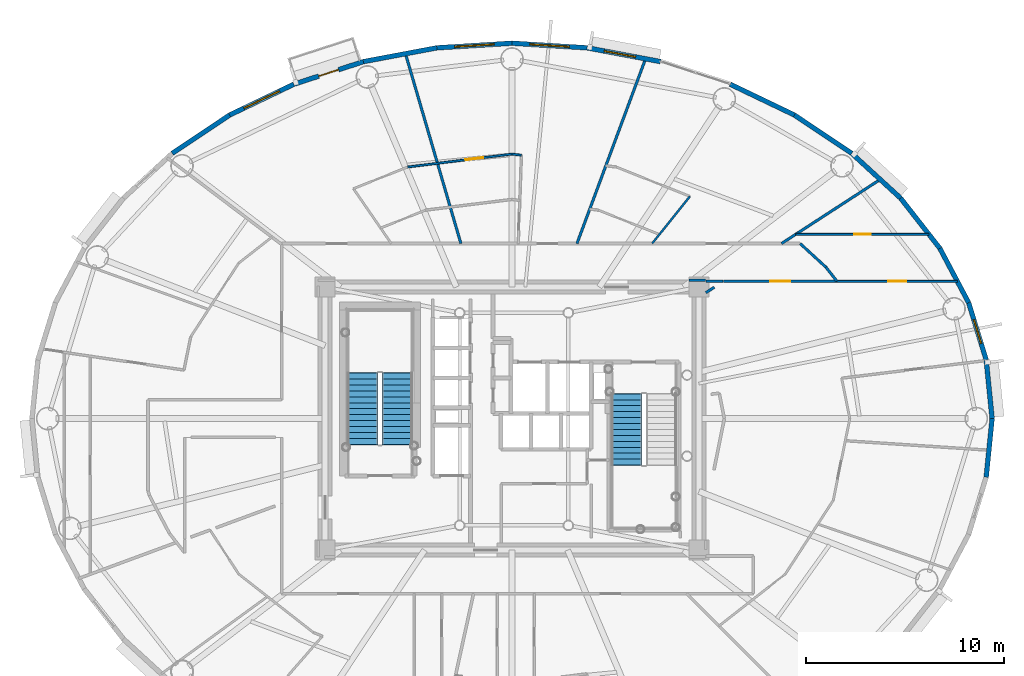
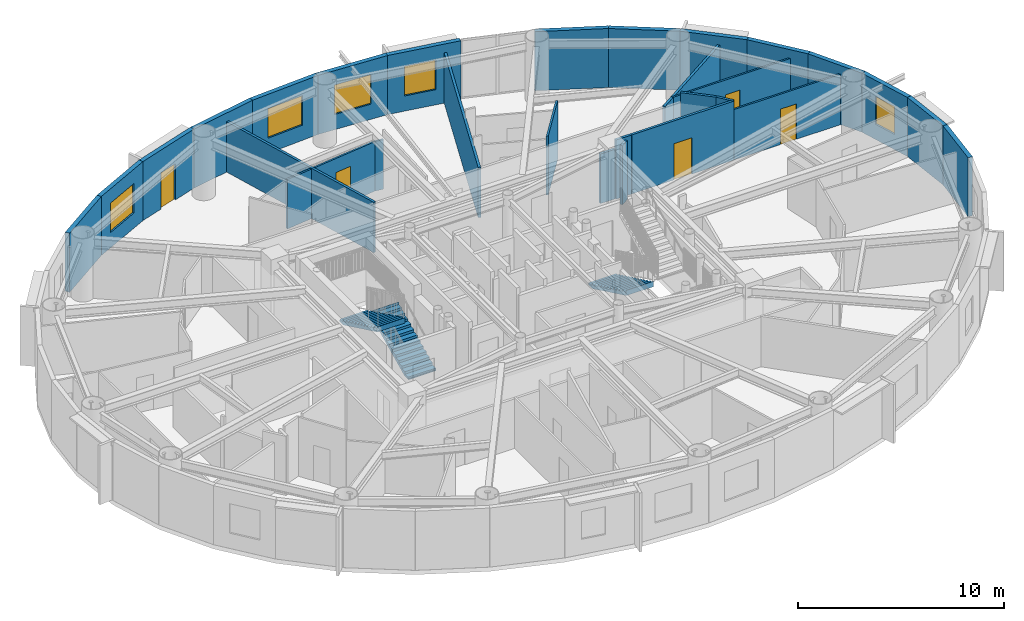
# One storey, part 11 of 19: 29 walls, 5 doors, 5 windows, 3 stair flights, 10 openings, 2 elements without a shape of their own.
"""IFC4 building model written with IfcOpenShell, lengths in metres."""

from ifc_helpers import new_model, si_unit, direction, frame, frame_2d, origin, origin_2d, place, context, subcontext, project, spatial, polyline, rectangle, outline, extrude, source, transform, mapped, material, layer, layer_set, type_object, element, fill, aggregate, save


model = new_model("IFC4")

# Units and contexts
model_context = context("Model", 3, precision=1e-05, world=origin(), true_north=direction((0.0, 1.0)))
body_context = subcontext(model_context, "Body", "Model", "MODEL_VIEW")
ifc_project = project(units=[si_unit("LENGTHUNIT", "METRE"), si_unit("AREAUNIT", "SQUARE_METRE"), si_unit("VOLUMEUNIT", "CUBIC_METRE"), si_unit("PLANEANGLEUNIT", "RADIAN"), si_unit("MASSUNIT", "GRAM", prefix="KILO")], contexts=[model_context])

# Site, building, storey
site_placement = place(None, origin())
site = spatial("IfcSite", under=ifc_project, at=site_placement, CompositionType="ELEMENT")
building_placement = place(site_placement, origin())
building = spatial("IfcBuilding", under=site, at=building_placement, Name="Linh Dai School and Residence Tower", CompositionType="ELEMENT")
storey_placement = place(building_placement, frame((0.0, 0.0, 217.800048828125)))
storey = spatial("IfcBuildingStorey", under=building, at=storey_placement, Name="L53", CompositionType="ELEMENT", Elevation=217.800048828125)

# Wall
ifc_material_1 = material(Name="Precast Concrete B45 (C35/45)", Category="concrete")
ifc_layer_1 = layer(ifc_material_1, 0.239990234375)
ifc_layer_set_1 = layer_set([ifc_layer_1], Name="Precast Concrete B45 (C35/45)")
wall_type_1 = type_object("IfcWallType", Name="EW-TC-240", PredefinedType="SOLIDWALL", material=ifc_layer_set_1)
wall_1_placement = place(storey_placement, frame((59.97705078125, 29.9638671875, 0.0), z_axis=(0.0, 0.0, 1.0), x_axis=(0.099990595253, -0.994988382274, 0.0)))
element("IfcWall", 1, at=wall_1_placement, inside=storey, type_object=wall_type_1, Name="L53 Terracotta Exterior Wall 01", PredefinedType="SOLIDWALL", context=body_context, shape_type="SweptSolid", body=[
    extrude(rectangle(XDim=2.978759765625, YDim=0.239990234375, at=frame_2d((1.4892578125, 0.0))), origin(), (0.0, 0.0, 1.0), 3.5),
])

# Wall, opening, window
wall_2_placement = place(storey_placement, frame((59.09033203125, 32.85595703125, 0.0), z_axis=(0.0, 0.0, 1.0), x_axis=(0.293132907334, -0.95607170162, 0.0)))
wall_2 = element("IfcWall", 2, at=wall_2_placement, inside=storey, type_object=wall_type_1, Name="L53 Terracotta Exterior Wall 02", PredefinedType="SOLIDWALL", context=body_context, shape_type="SweptSolid", body=[
    extrude(rectangle(XDim=3.02490234375, YDim=0.239990234375, at=frame_2d((1.512451171875, 0.0))), origin(), (0.0, 0.0, 1.0), 3.5),
])
opening_1_placement = place(wall_2_placement, frame((0.89599609375, 0.0, 0.89990234375)))
opening_1 = element("IfcOpeningElement", 3, at=opening_1_placement, cuts=wall_2, Name="Opening W3", PredefinedType="OPENING", context=body_context, shape_type="SweptSolid", body=[
    extrude(rectangle(XDim=1.25, YDim=1.64990234375, at=origin_2d()), frame((0.625, 0.1298828125, 0.824951171875), z_axis=(0.0, -1.0, 0.0), x_axis=(1.0, 0.0, 0.0)), (0.0, 0.0, 1.0), 0.260009765625),
])
ifc_material_2 = material(Name="Double Low-E Insulated Glazing", Category="glass")
window_type_1 = type_object("IfcWindowType", Name="WN-RES-1250x1650", PartitioningType="SINGLE_PANEL", PredefinedType="WINDOW", material=ifc_material_2)
shared_shape_1 = source(origin(), body_context, "Body", "SweptSolid", [
    extrude(rectangle(XDim=1.25, YDim=1.64990234375, at=origin_2d()), frame((0.625, 0.030029296875, 0.824951171875), z_axis=(0.0, -1.0, 0.0), x_axis=(1.0, 0.0, 0.0)), (0.0, 0.0, 1.0), 0.06005859375),
])
window_1_placement = place(opening_1_placement, origin())
window_1 = element("IfcWindow", 4, at=window_1_placement, inside=storey, type_object=window_type_1, Name="L53 Exterior Window 02.1", OverallHeight=1.64990234375, OverallWidth=1.25, PartitioningType="SINGLE_PANEL", PredefinedType="WINDOW", context=body_context, shape_type="MappedRepresentation", body=[
    mapped(shared_shape_1, transform((0.0, 0.0, 0.0), x_axis=(1.0, 0.0, 0.0), y_axis=(0.0, 1.0, 0.0), z_axis=(0.0, 0.0, 1.0), scale=1.0)),
])
fill(opening_1, window_1)

# Walls
wall_3_placement = place(storey_placement, frame((57.6357421875, 35.605224609375, 0.0), z_axis=(0.0, 0.0, 1.0), x_axis=(0.46766049993, -0.883908172157, 0.0)))
element("IfcWall", 5, at=wall_3_placement, inside=storey, type_object=wall_type_1, Name="L53 Terracotta Exterior Wall 03", PredefinedType="SOLIDWALL", context=body_context, shape_type="SweptSolid", body=[
    extrude(rectangle(XDim=3.1103515625, YDim=0.239990234375, at=frame_2d((1.55517578125, 0.0))), origin(), (0.0, 0.0, 1.0), 3.5),
])
wall_4_placement = place(storey_placement, frame((55.6484375, 38.14453125, 0.0), z_axis=(0.0, 0.0, 1.0), x_axis=(0.616312344705, -0.787501805562, 0.0)))
element("IfcWall", 6, at=wall_4_placement, inside=storey, type_object=wall_type_1, Name="L53 Terracotta Exterior Wall 04", PredefinedType="SOLIDWALL", context=body_context, shape_type="SweptSolid", body=[
    extrude(rectangle(XDim=3.224609375, YDim=0.239990234375, at=frame_2d((1.6123046875, 0.0))), origin(), (0.0, 0.0, 1.0), 3.5),
])
wall_5_placement = place(storey_placement, frame((53.17626953125, 40.410888671875, 0.0), z_axis=(0.0, 0.0, 1.0), x_axis=(0.737123922599, -0.675757591694, 0.0)))
element("IfcWall", 7, at=wall_5_placement, inside=storey, type_object=wall_type_1, Name="L53 Terracotta Exterior Wall 05", PredefinedType="SOLIDWALL", context=body_context, shape_type="SweptSolid", body=[
    extrude(rectangle(XDim=3.353759765625, YDim=0.239990234375, at=frame_2d((1.6767578125, 0.0))), origin(), (0.0, 0.0, 1.0), 3.5),
])
wall_6_placement = place(storey_placement, frame((50.280029296875, 42.34765625, 0.0), z_axis=(0.0, 0.0, 1.0), x_axis=(0.831262496074, -0.555880079352, 0.0)))
element("IfcWall", 8, at=wall_6_placement, inside=storey, type_object=wall_type_1, Name="L53 Terracotta Exterior Wall 06", PredefinedType="SOLIDWALL", context=body_context, shape_type="SweptSolid", body=[
    extrude(rectangle(XDim=3.484130859375, YDim=0.239990234375, at=frame_2d((1.7421875, 0.0))), origin(), (0.0, 0.0, 1.0), 3.5),
])
wall_7_placement = place(storey_placement, frame((47.031005859375, 43.906494140625, 0.0), z_axis=(0.0, 0.0, 1.0), x_axis=(0.901598104751, -0.432574684313, 0.0)))
element("IfcWall", 9, at=wall_7_placement, inside=storey, type_object=wall_type_1, Name="L53 Terracotta Exterior Wall 07", PredefinedType="SOLIDWALL", context=body_context, shape_type="SweptSolid", body=[
    extrude(rectangle(XDim=3.603515625, YDim=0.239990234375, at=frame_2d((1.8017578125, 0.0))), origin(), (0.0, 0.0, 1.0), 3.5),
])

# Wall, opening, window
wall_8_placement = place(storey_placement, frame((39.801513671875, 45.745849609375, 0.0), z_axis=(0.0, 0.0, 1.0), x_axis=(0.982784898575, -0.184753465822, 0.0)))
wall_8 = element("IfcWall", 10, at=wall_8_placement, inside=storey, type_object=wall_type_1, Name="L53 Terracotta Exterior Wall 09", PredefinedType="SOLIDWALL", context=body_context, shape_type="SweptSolid", body=[
    extrude(rectangle(XDim=3.772705078125, YDim=0.239990234375, at=frame_2d((1.88623046875, 0.0))), origin(), (0.0, 0.0, 1.0), 3.5),
])
opening_2_placement = place(wall_8_placement, frame((0.884033203125, 0.0, 0.89990234375)))
opening_2 = element("IfcOpeningElement", 11, at=opening_2_placement, cuts=wall_8, Name="Opening W2", PredefinedType="OPENING", context=body_context, shape_type="SweptSolid", body=[
    extrude(rectangle(XDim=1.60009765625, YDim=1.75, at=origin_2d()), frame((0.800048828125, 0.1298828125, 0.875), z_axis=(0.0, -1.0, 0.0), x_axis=(1.0, 0.0, 0.0)), (0.0, 0.0, 1.0), 0.260009765625),
])
window_type_2 = type_object("IfcWindowType", Name="WN-RES-1600x1750", PartitioningType="DOUBLE_PANEL_VERTICAL", PredefinedType="WINDOW", material=ifc_material_2)
shared_shape_2 = source(origin(), body_context, "Body", "SweptSolid", [
    extrude(rectangle(XDim=1.60009765625, YDim=1.75, at=origin_2d()), frame((0.800048828125, 0.030029296875, 0.875), z_axis=(0.0, -1.0, 0.0), x_axis=(1.0, 0.0, 0.0)), (0.0, 0.0, 1.0), 0.06005859375),
])
window_2_placement = place(opening_2_placement, origin())
window_2 = element("IfcWindow", 12, at=window_2_placement, inside=storey, type_object=window_type_2, Name="L53 Exterior Window 09.1", OverallHeight=1.75, OverallWidth=1.60009765625, PartitioningType="DOUBLE_PANEL_VERTICAL", PredefinedType="WINDOW", context=body_context, shape_type="MappedRepresentation", body=[
    mapped(shared_shape_2, transform((0.0, 0.0, 0.0), x_axis=(1.0, 0.0, 0.0), y_axis=(0.0, 1.0, 0.0), z_axis=(0.0, 0.0, 1.0), scale=1.0)),
])
fill(opening_2, window_2)

wall_9_placement = place(storey_placement, frame((36.0, 45.97998046875, 0.0), z_axis=(0.0, 0.0, 1.0), x_axis=(0.998108785312, -0.06147237333, 0.0)))
wall_9 = element("IfcWall", 13, at=wall_9_placement, inside=storey, type_object=wall_type_1, Name="L53 Terracotta Exterior Wall 10", PredefinedType="SOLIDWALL", context=body_context, shape_type="SweptSolid", body=[
    extrude(rectangle(XDim=3.808837890625, YDim=0.239990234375, at=frame_2d((1.904296875, 0.0))), origin(), (0.0, 0.0, 1.0), 3.5),
])
opening_3_placement = place(wall_9_placement, frame((0.904296875, 0.0, 0.89990234375)))
opening_3 = element("IfcOpeningElement", 14, at=opening_3_placement, cuts=wall_9, Name="Opening W1", PredefinedType="OPENING", context=body_context, shape_type="SweptSolid", body=[
    extrude(rectangle(XDim=2.0, YDim=1.75, at=origin_2d()), frame((1.0, 0.1298828125, 0.875), z_axis=(0.0, -1.0, 0.0), x_axis=(1.0, 0.0, 0.0)), (0.0, 0.0, 1.0), 0.260009765625),
])
window_type_3 = type_object("IfcWindowType", Name="WN-RES-2000x1750", PartitioningType="DOUBLE_PANEL_VERTICAL", PredefinedType="WINDOW", material=ifc_material_2)
shared_shape_3 = source(origin(), body_context, "Body", "SweptSolid", [
    extrude(rectangle(XDim=2.0, YDim=1.75, at=origin_2d()), frame((1.0, 0.030029296875, 0.875), z_axis=(0.0, -1.0, 0.0), x_axis=(1.0, 0.0, 0.0)), (0.0, 0.0, 1.0), 0.06005859375),
])
window_3_placement = place(opening_3_placement, origin())
window_3 = element("IfcWindow", 15, at=window_3_placement, inside=storey, type_object=window_type_3, Name="L53 Exterior Window 10.1", OverallHeight=1.75, OverallWidth=2.0, PartitioningType="DOUBLE_PANEL_VERTICAL", PredefinedType="WINDOW", context=body_context, shape_type="MappedRepresentation", body=[
    mapped(shared_shape_3, transform((0.0, 0.0, 0.0), x_axis=(1.0, 0.0, 0.0), y_axis=(0.0, 1.0, 0.0), z_axis=(0.0, 0.0, 1.0), scale=1.0)),
])
fill(opening_3, window_3)

wall_10_placement = place(storey_placement, frame((32.198486328125, 45.745849609375, 0.0), z_axis=(0.0, 0.0, 1.0), x_axis=(0.998108785312, 0.06147237333, 0.0)))
wall_10 = element("IfcWall", 16, at=wall_10_placement, inside=storey, type_object=wall_type_1, Name="L53 Terracotta Exterior Wall 11", PredefinedType="SOLIDWALL", context=body_context, shape_type="SweptSolid", body=[
    extrude(rectangle(XDim=3.808837890625, YDim=0.239990234375, at=frame_2d((1.904296875, 0.0))), origin(), (0.0, 0.0, 1.0), 3.5),
])
opening_4_placement = place(wall_10_placement, frame((0.904541015625, 0.0, 0.89990234375)))
opening_4 = element("IfcOpeningElement", 17, at=opening_4_placement, cuts=wall_10, Name="Opening W1", PredefinedType="OPENING", context=body_context, shape_type="SweptSolid", body=[
    extrude(rectangle(XDim=2.0, YDim=1.75, at=origin_2d()), frame((1.0, 0.1298828125, 0.875), z_axis=(0.0, -1.0, 0.0), x_axis=(1.0, 0.0, 0.0)), (0.0, 0.0, 1.0), 0.260009765625),
])
window_4_placement = place(opening_4_placement, origin())
window_4 = element("IfcWindow", 18, at=window_4_placement, inside=storey, type_object=window_type_3, Name="L53 Exterior Window 11.1", OverallHeight=1.75, OverallWidth=2.0, PartitioningType="DOUBLE_PANEL_VERTICAL", PredefinedType="WINDOW", context=body_context, shape_type="MappedRepresentation", body=[
    mapped(shared_shape_3, transform((0.0, 0.0, 0.0), x_axis=(1.0, 0.0, 0.0), y_axis=(0.0, 1.0, 0.0), z_axis=(0.0, 0.0, 1.0), scale=1.0)),
])
fill(opening_4, window_4)

# Wall
wall_11_placement = place(storey_placement, frame((28.49072265625, 45.048828125, 0.0), z_axis=(0.0, 0.0, 1.0), x_axis=(0.982784898575, 0.184753465822, 0.0)))
element("IfcWall", 19, at=wall_11_placement, inside=storey, type_object=wall_type_1, Name="L53 Terracotta Exterior Wall 12", PredefinedType="SOLIDWALL", context=body_context, shape_type="SweptSolid", body=[
    extrude(rectangle(XDim=3.772705078125, YDim=0.239990234375, at=frame_2d((1.88623046875, 0.0))), origin(), (0.0, 0.0, 1.0), 3.5),
])

# Wall, opening, door
wall_12_placement = place(storey_placement, frame((24.968994140625, 43.906494140625, 0.0), z_axis=(0.0, 0.0, 1.0), x_axis=(0.951210789182, 0.308541787354, 0.0)))
wall_12 = element("IfcWall", 20, at=wall_12_placement, inside=storey, type_object=wall_type_1, Name="L53 Terracotta Exterior Wall 13", PredefinedType="SOLIDWALL", context=body_context, shape_type="SweptSolid", body=[
    extrude(rectangle(XDim=3.702392578125, YDim=0.239990234375, at=frame_2d((1.85107421875, 0.0))), origin(), (0.0, 0.0, 1.0), 3.5),
])
opening_5_placement = place(wall_12_placement, frame((1.326171875, 0.0, 0.0)))
opening_5 = element("IfcOpeningElement", 21, at=opening_5_placement, cuts=wall_12, Name="Opening BD1", PredefinedType="OPENING", context=body_context, shape_type="SweptSolid", body=[
    extrude(rectangle(XDim=1.050048828125, YDim=2.14990234375, at=origin_2d()), frame((0.52490234375, 0.1298828125, 1.074951171875), z_axis=(0.0, -1.0, 0.0), x_axis=(1.0, 0.0, 0.0)), (0.0, 0.0, 1.0), 0.260009765625),
])
ifc_material_3 = material(Name="Double-Glazed Balcony Door", Category="glass")
door_type_1 = type_object("IfcDoorType", Name="DR-BALC-1050x2150", OperationType="NOTDEFINED", PredefinedType="DOOR", material=ifc_material_3)
shared_shape_4 = source(origin(), body_context, "Body", "SweptSolid", [
    extrude(rectangle(XDim=1.050048828125, YDim=2.14990234375, at=origin_2d()), frame((0.52490234375, 0.02490234375, 1.074951171875), z_axis=(0.0, -1.0, 0.0), x_axis=(1.0, 0.0, 0.0)), (0.0, 0.0, 1.0), 0.050048828125),
])
door_1_placement = place(opening_5_placement, origin())
door_1 = element("IfcDoor", 22, at=door_1_placement, inside=storey, type_object=door_type_1, Name="L53 Glazed Balcony Door 13", OperationType="SINGLE_SWING_LEFT", OverallHeight=2.14990234375, OverallWidth=1.050048828125, PredefinedType="DOOR", context=body_context, shape_type="MappedRepresentation", body=[
    mapped(shared_shape_4, transform((0.0, 0.0, 0.0), x_axis=(1.0, 0.0, 0.0), y_axis=(0.0, 1.0, 0.0), z_axis=(0.0, 0.0, 1.0), scale=1.0)),
])
fill(opening_5, door_1)

# Wall, opening, window
wall_13_placement = place(storey_placement, frame((21.719970703125, 42.34765625, 0.0), z_axis=(0.0, 0.0, 1.0), x_axis=(0.901598104751, 0.432574684313, 0.0)))
wall_13 = element("IfcWall", 23, at=wall_13_placement, inside=storey, type_object=wall_type_1, Name="L53 Terracotta Exterior Wall 14", PredefinedType="SOLIDWALL", context=body_context, shape_type="SweptSolid", body=[
    extrude(rectangle(XDim=3.603515625, YDim=0.239990234375, at=frame_2d((1.8017578125, 0.0))), origin(), (0.0, 0.0, 1.0), 3.5),
])
opening_6_placement = place(wall_13_placement, frame((0.802001953125, 0.0, 0.89990234375)))
opening_6 = element("IfcOpeningElement", 24, at=opening_6_placement, cuts=wall_13, Name="Opening W1", PredefinedType="OPENING", context=body_context, shape_type="SweptSolid", body=[
    extrude(rectangle(XDim=2.0, YDim=1.75, at=origin_2d()), frame((1.0, 0.1298828125, 0.875), z_axis=(0.0, -1.0, 0.0), x_axis=(1.0, 0.0, 0.0)), (0.0, 0.0, 1.0), 0.260009765625),
])
window_5_placement = place(opening_6_placement, origin())
window_5 = element("IfcWindow", 25, at=window_5_placement, inside=storey, type_object=window_type_3, Name="L53 Exterior Window 14.1", OverallHeight=1.75, OverallWidth=2.0, PartitioningType="DOUBLE_PANEL_VERTICAL", PredefinedType="WINDOW", context=body_context, shape_type="MappedRepresentation", body=[
    mapped(shared_shape_3, transform((0.0, 0.0, 0.0), x_axis=(1.0, 0.0, 0.0), y_axis=(0.0, 1.0, 0.0), z_axis=(0.0, 0.0, 1.0), scale=1.0)),
])
fill(opening_6, window_5)

# Walls
wall_14_placement = place(storey_placement, frame((18.82373046875, 40.410888671875, 0.0), z_axis=(0.0, 0.0, 1.0), x_axis=(0.831262496074, 0.555880079352, 0.0)))
element("IfcWall", 26, at=wall_14_placement, inside=storey, type_object=wall_type_1, Name="L53 Terracotta Exterior Wall 15", PredefinedType="SOLIDWALL", context=body_context, shape_type="SweptSolid", body=[
    extrude(rectangle(XDim=3.484130859375, YDim=0.239990234375, at=frame_2d((1.7421875, 0.0))), origin(), (0.0, 0.0, 1.0), 3.5),
])
wall_15_placement = place(storey_placement, frame((60.27490234375, 27.0, 0.0), z_axis=(0.0, 0.0, 1.0), x_axis=(-0.099990595253, -0.994988382274, 0.0)))
element("IfcWall", 27, at=wall_15_placement, inside=storey, type_object=wall_type_1, Name="L53 Terracotta Exterior Wall 40", PredefinedType="SOLIDWALL", context=body_context, shape_type="SweptSolid", body=[
    extrude(rectangle(XDim=2.978759765625, YDim=0.239990234375, at=frame_2d((1.4892578125, 0.0))), origin(), (0.0, 0.0, 1.0), 3.5),
])
ifc_material_4 = material(Name="Autoclaved Aerated Concrete Blockwork", Category="masonry")
ifc_layer_2 = layer(ifc_material_4, 0.135009765625)
ifc_layer_set_2 = layer_set([ifc_layer_2], Name="Autoclaved Aerated Concrete Blockwork")
wall_type_2 = type_object("IfcWallType", Name="IW-CORR-135-EI90", PredefinedType="PARTITIONING", material=ifc_layer_set_2)
wall_16_placement = place(storey_placement, frame((30.613037109375, 45.452880859375, 0.0), z_axis=(0.0, 0.0, 1.0), x_axis=(0.280222100614, -0.959935192775, 0.0)))
element("IfcWall", 28, at=wall_16_placement, inside=storey, type_object=wall_type_2, Name="L53 Interior Partition Wall 029", PredefinedType="PARTITIONING", context=body_context, shape_type="SweptSolid", body=[
    extrude(rectangle(XDim=10.003662109375, YDim=0.135009765625, at=frame_2d((5.001953125, 0.0))), origin(), (0.0, 0.0, 1.0), 2.98486328125),
])
wall_17_placement = place(storey_placement, frame((39.28466796875, 35.85009765625, 0.0), z_axis=(0.0, 0.0, 1.0), x_axis=(0.347978689674, 0.937502443481, 0.0)))
element("IfcWall", 29, at=wall_17_placement, inside=storey, type_object=wall_type_2, Name="L53 Interior Partition Wall 066", PredefinedType="PARTITIONING", context=body_context, shape_type="SweptSolid", body=[
    extrude(rectangle(XDim=9.968994140625, YDim=0.135009765625, at=frame_2d((4.984375, 0.0))), origin(), (0.0, 0.0, 1.0), 2.98486328125),
])

# Wall, opening, door
wall_18_placement = place(storey_placement, frame((46.69091796875, 33.949951171875, 0.0), z_axis=(0.0, 0.0, 1.0), x_axis=(1.0, 0.0, 0.0)))
wall_18 = element("IfcWall", 30, at=wall_18_placement, inside=storey, type_object=wall_type_2, Name="L53 Interior Partition Wall 083", PredefinedType="PARTITIONING", context=body_context, shape_type="SweptSolid", body=[
    extrude(rectangle(XDim=5.73291015625, YDim=0.135009765625, at=frame_2d((2.866455078125, 0.0))), origin(), (0.0, 0.0, 1.0), 3.5),
])
opening_7_placement = place(wall_18_placement, frame((2.366455078125, 0.0, 0.0)))
opening_7 = element("IfcOpeningElement", 31, at=opening_7_placement, cuts=wall_18, Name="Opening D03", PredefinedType="OPENING", context=body_context, shape_type="SweptSolid", body=[
    extrude(rectangle(XDim=1.0, YDim=2.14990234375, at=origin_2d()), frame((0.5, 0.07763671875, 1.074951171875), z_axis=(0.0, -1.0, 0.0), x_axis=(1.0, 0.0, 0.0)), (0.0, 0.0, 1.0), 0.155029296875),
])
ifc_material_5 = material(Name="Fire-Rated Solid Timber Entrance Door", Category="wood")
door_type_2 = type_object("IfcDoorType", Name="DR-FLAT-1000x2150-FD60S", OperationType="NOTDEFINED", PredefinedType="DOOR", material=ifc_material_5)
shared_shape_5 = source(origin(), body_context, "Body", "SweptSolid", [
    extrude(rectangle(XDim=1.0, YDim=2.14990234375, at=origin_2d()), frame((0.5, 0.02490234375, 1.074951171875), z_axis=(0.0, -1.0, 0.0), x_axis=(1.0, 0.0, 0.0)), (0.0, 0.0, 1.0), 0.050048828125),
])
door_2_placement = place(opening_7_placement, origin())
door_2 = element("IfcDoor", 32, at=door_2_placement, inside=storey, type_object=door_type_2, Name="L53 U5307 Apartment Entrance Door", OperationType="SINGLE_SWING_LEFT", OverallHeight=2.14990234375, OverallWidth=1.0, PredefinedType="DOOR", context=body_context, shape_type="MappedRepresentation", body=[
    mapped(shared_shape_5, transform((0.0, 0.0, 0.0), x_axis=(1.0, 0.0, 0.0), y_axis=(0.0, 1.0, 0.0), z_axis=(0.0, 0.0, 1.0), scale=1.0)),
])
fill(opening_7, door_2)

# Walls
wall_19_placement = place(storey_placement, frame((49.627685546875, 35.85009765625, 0.0), z_axis=(0.0, 0.0, 1.0), x_axis=(0.838688976762, 0.544610686875, 0.0)))
element("IfcWall", 33, at=wall_19_placement, inside=storey, type_object=wall_type_2, Name="L53 Interior Partition Wall 085", PredefinedType="PARTITIONING", context=body_context, shape_type="SweptSolid", body=[
    extrude(rectangle(XDim=5.9541015625, YDim=0.135009765625, at=frame_2d((2.97705078125, 0.0))), origin(), (0.0, 0.0, 1.0), 2.98486328125),
])
wall_20_placement = place(storey_placement, frame((50.56787109375, 35.85009765625, 0.0), z_axis=(0.0, 0.0, 1.0), x_axis=(0.737102657331, -0.675780787353, 0.0)))
element("IfcWall", 34, at=wall_20_placement, inside=storey, type_object=wall_type_2, Name="L53 Interior Partition Wall 088", PredefinedType="PARTITIONING", context=body_context, shape_type="SweptSolid", body=[
    extrude(rectangle(XDim=1.771728515625, YDim=0.135009765625, at=frame_2d((0.8857421875, 0.0))), origin(), (0.0, 0.0, 1.0), 3.5),
])
wall_21_placement = place(storey_placement, frame((51.873779296875, 34.65283203125, 0.0), z_axis=(0.0, 0.0, 1.0), x_axis=(0.61628613448, -0.787522317429, 0.0)))
element("IfcWall", 35, at=wall_21_placement, inside=storey, type_object=wall_type_2, Name="L53 Interior Partition Wall 090", PredefinedType="PARTITIONING", context=body_context, shape_type="SweptSolid", body=[
    extrude(rectangle(XDim=0.892578125, YDim=0.135009765625, at=frame_2d((0.4462890625, 0.0))), origin(), (0.0, 0.0, 1.0), 3.5),
])
wall_22_placement = place(storey_placement, frame((46.680908203125, 33.949951171875, 0.0), z_axis=(0.0, 0.0, 1.0), x_axis=(-1.0, 0.0, 0.0)))
element("IfcWall", 36, at=wall_22_placement, inside=storey, type_object=wall_type_2, Name="L53 Interior Partition Wall 103", PredefinedType="PARTITIONING", context=body_context, shape_type="SweptSolid", body=[
    extrude(rectangle(XDim=0.880859375, YDim=0.135009765625, at=frame_2d((0.4404296875, 0.0))), origin(), (0.0, 0.0, 1.0), 3.5),
])
wall_23_placement = place(storey_placement, frame((45.7900390625, 34.0, 0.0), z_axis=(0.0, 0.0, 1.0), x_axis=(-1.0, 0.0, 0.0)))
element("IfcWall", 37, at=wall_23_placement, inside=storey, type_object=wall_type_2, Name="L53 Interior Partition Wall 104", PredefinedType="PARTITIONING", context=body_context, shape_type="SweptSolid", body=[
    extrude(rectangle(XDim=0.830078125, YDim=0.135009765625, at=frame_2d((0.4150390625, 0.0))), origin(), (0.0, 0.0, 1.0), 2.93505859375),
])
wall_24_placement = place(storey_placement, frame((45.800048828125, 33.3642578125, 0.0), z_axis=(0.0, 0.0, 1.0), x_axis=(0.838607336961, 0.544736389821, 0.0)))
element("IfcWall", 38, at=wall_24_placement, inside=storey, type_object=wall_type_2, Name="L53 Interior Partition Wall 118", PredefinedType="PARTITIONING", context=body_context, shape_type="SweptSolid", body=[
    extrude(rectangle(XDim=0.510986328125, YDim=0.135009765625, at=frame_2d((0.25537109375, 0.0))), origin(), (0.0, 0.0, 1.0), 3.5),
])

# Wall, opening, door
ifc_material_6 = material(Name="Gypsum Plasterboard Acoustic Stud Partition", Category="masonry")
ifc_layer_3 = layer(ifc_material_6, 0.10009765625)
ifc_layer_set_3 = layer_set([ifc_layer_3], Name="Gypsum Plasterboard Acoustic Stud Partition")
wall_type_3 = type_object("IfcWallType", Name="IW-UNIT-100", PredefinedType="PARTITIONING", material=ifc_layer_set_3)
wall_25_placement = place(storey_placement, frame((30.721923828125, 39.718994140625, 0.0), z_axis=(0.0, 0.0, 1.0), x_axis=(0.992398169186, 0.123068573551, 0.0)))
wall_25 = element("IfcWall", 39, at=wall_25_placement, inside=storey, type_object=wall_type_3, Name="L53 Interior Partition Wall 030", PredefinedType="PARTITIONING", context=body_context, shape_type="SweptSolid", body=[
    extrude(rectangle(XDim=5.318603515625, YDim=0.10009765625, at=frame_2d((2.6591796875, 0.0))), origin(), (0.0, 0.0, 1.0), 2.93505859375),
])
opening_8_placement = place(wall_25_placement, frame((2.9501953125, 0.0, 0.0)))
opening_8 = element("IfcOpeningElement", 40, at=opening_8_placement, cuts=wall_25, Name="Opening D05", PredefinedType="OPENING", context=body_context, shape_type="SweptSolid", body=[
    extrude(rectangle(XDim=0.89990234375, YDim=2.10009765625, at=origin_2d()), frame((0.449951171875, 0.06005859375, 1.050048828125), z_axis=(0.0, -1.0, 0.0), x_axis=(1.0, 0.0, 0.0)), (0.0, 0.0, 1.0), 0.1201171875),
])
ifc_material_7 = material(Name="Engineered Timber Internal Door", Category="wood")
door_type_3 = type_object("IfcDoorType", Name="DR-INT-900x2100", OperationType="NOTDEFINED", PredefinedType="DOOR", material=ifc_material_7)
shared_shape_6 = source(origin(), body_context, "Body", "SweptSolid", [
    extrude(rectangle(XDim=0.89990234375, YDim=2.10009765625, at=origin_2d()), frame((0.449951171875, 0.02490234375, 1.050048828125), z_axis=(0.0, -1.0, 0.0), x_axis=(1.0, 0.0, 0.0)), (0.0, 0.0, 1.0), 0.050048828125),
])
door_3_placement = place(opening_8_placement, origin())
door_3 = element("IfcDoor", 41, at=door_3_placement, inside=storey, type_object=door_type_3, Name="L53 Apartment U5302 Kitchen Door", OperationType="SINGLE_SWING_LEFT", OverallHeight=2.10009765625, OverallWidth=0.89990234375, PredefinedType="DOOR", context=body_context, shape_type="MappedRepresentation", body=[
    mapped(shared_shape_6, transform((0.0, 0.0, 0.0), x_axis=(1.0, 0.0, 0.0), y_axis=(0.0, 1.0, 0.0), z_axis=(0.0, 0.0, 1.0), scale=1.0)),
])
fill(opening_8, door_3)

# Walls
wall_26_placement = place(storey_placement, frame((36.0, 40.37353515625, 0.0), z_axis=(0.0, 0.0, 1.0), x_axis=(0.992363891793, -0.123344664517, 0.0)))
element("IfcWall", 42, at=wall_26_placement, inside=storey, type_object=wall_type_3, Name="L53 Interior Partition Wall 060", PredefinedType="PARTITIONING", context=body_context, shape_type="SweptSolid", body=[
    extrude(rectangle(XDim=0.47900390625, YDim=0.10009765625, at=frame_2d((0.239501953125, 0.0))), origin(), (0.0, 0.0, 1.0), 2.93505859375),
])
wall_27_placement = place(storey_placement, frame((43.08544921875, 35.85009765625, 0.0), z_axis=(0.0, 0.0, 1.0), x_axis=(0.62500673738, 0.780619355531, 0.0)))
element("IfcWall", 43, at=wall_27_placement, inside=storey, type_object=wall_type_3, Name="L53 Interior Partition Wall 078", PredefinedType="PARTITIONING", context=body_context, shape_type="SweptSolid", body=[
    extrude(rectangle(XDim=3.05615234375, YDim=0.10009765625, at=frame_2d((1.528076171875, 0.0))), origin(), (0.0, 0.0, 1.0), 3.5),
])

# Wall, opening, door
wall_28_placement = place(storey_placement, frame((50.3505859375, 36.3193359375, 0.0), z_axis=(0.0, 0.0, 1.0), x_axis=(1.0, 0.0, 0.0)))
wall_28 = element("IfcWall", 44, at=wall_28_placement, inside=storey, type_object=wall_type_3, Name="L53 Interior Partition Wall 087", PredefinedType="PARTITIONING", context=body_context, shape_type="SweptSolid", body=[
    extrude(rectangle(XDim=6.732666015625, YDim=0.10009765625, at=frame_2d((3.3662109375, 0.0))), origin(), (0.0, 0.0, 1.0), 2.98486328125),
])
opening_9_placement = place(wall_28_placement, frame((2.956298828125, 0.0, 0.0)))
opening_9 = element("IfcOpeningElement", 45, at=opening_9_placement, cuts=wall_28, Name="Opening D06", PredefinedType="OPENING", context=body_context, shape_type="SweptSolid", body=[
    extrude(rectangle(XDim=0.820068359375, YDim=2.10009765625, at=origin_2d()), frame((0.41015625, 0.06005859375, 1.050048828125), z_axis=(0.0, -1.0, 0.0), x_axis=(1.0, 0.0, 0.0)), (0.0, 0.0, 1.0), 0.1201171875),
])
ifc_material_8 = material(Name="Moisture-Resistant Timber Bathroom Door", Category="wood")
door_type_4 = type_object("IfcDoorType", Name="DR-WET-820x2100", OperationType="NOTDEFINED", PredefinedType="DOOR", material=ifc_material_8)
shared_shape_7 = source(origin(), body_context, "Body", "SweptSolid", [
    extrude(rectangle(XDim=0.820068359375, YDim=2.10009765625, at=origin_2d()), frame((0.41015625, 0.02490234375, 1.050048828125), z_axis=(0.0, -1.0, 0.0), x_axis=(1.0, 0.0, 0.0)), (0.0, 0.0, 1.0), 0.050048828125),
])
door_4_placement = place(opening_9_placement, origin())
door_4 = element("IfcDoor", 46, at=door_4_placement, inside=storey, type_object=door_type_4, Name="L53 Apartment U5307 Bathroom 1 Door", OperationType="SINGLE_SWING_RIGHT", OverallHeight=2.10009765625, OverallWidth=0.820068359375, PredefinedType="DOOR", context=body_context, shape_type="MappedRepresentation", body=[
    mapped(shared_shape_7, transform((0.0, 0.0, 0.0), x_axis=(1.0, 0.0, 0.0), y_axis=(0.0, 1.0, 0.0), z_axis=(0.0, 0.0, 1.0), scale=1.0)),
])
fill(opening_9, door_4)

wall_29_placement = place(storey_placement, frame((52.433837890625, 33.94287109375, 0.0), z_axis=(0.0, 0.0, 1.0), x_axis=(1.0, 0.0, 0.0)))
wall_29 = element("IfcWall", 47, at=wall_29_placement, inside=storey, type_object=wall_type_3, Name="L53 Interior Partition Wall 092", PredefinedType="PARTITIONING", context=body_context, shape_type="SweptSolid", body=[
    extrude(rectangle(XDim=6.087158203125, YDim=0.10009765625, at=frame_2d((3.04345703125, 0.0))), origin(), (0.0, 0.0, 1.0), 2.98486328125),
])
opening_10_placement = place(wall_29_placement, frame((2.593505859375, 0.0, 0.0)))
opening_10 = element("IfcOpeningElement", 48, at=opening_10_placement, cuts=wall_29, Name="Opening D05", PredefinedType="OPENING", context=body_context, shape_type="SweptSolid", body=[
    extrude(rectangle(XDim=0.89990234375, YDim=2.10009765625, at=origin_2d()), frame((0.449951171875, 0.06005859375, 1.050048828125), z_axis=(0.0, -1.0, 0.0), x_axis=(1.0, 0.0, 0.0)), (0.0, 0.0, 1.0), 0.1201171875),
])
door_5_placement = place(opening_10_placement, origin())
door_5 = element("IfcDoor", 49, at=door_5_placement, inside=storey, type_object=door_type_3, Name="L53 Apartment U5307 Kitchen Door", OperationType="SINGLE_SWING_LEFT", OverallHeight=2.10009765625, OverallWidth=0.89990234375, PredefinedType="DOOR", context=body_context, shape_type="MappedRepresentation", body=[
    mapped(shared_shape_6, transform((0.0, 0.0, 0.0), x_axis=(1.0, 0.0, 0.0), y_axis=(0.0, 1.0, 0.0), z_axis=(0.0, 0.0, 1.0), scale=1.0)),
])
fill(opening_10, door_5)

# Stair, stair flights
ifc_material_9 = material(Name="Concrete B45 (C35/45)", Category="concrete")
stair_type = type_object("IfcStairType", Name="ST-DOG-1550-R1442", PredefinedType="HALF_TURN_STAIR", material=ifc_material_9)
stair_1_placement = place(storey_placement, origin())
stair_1 = element("IfcStair", 50, at=stair_1_placement, inside=storey, type_object=stair_type, Name="L53 Core Smokeproof Exit Stair ST1", PredefinedType="HALF_TURN_STAIR")
stair_flight_type = type_object("IfcStairFlightType", Name="STF-STR-1550-R1442", PredefinedType="STRAIGHT", material=ifc_material_9)
shared_shape_8 = source(origin(), body_context, "Body", "SweptSolid", [
    extrude(outline(polyline([(-0.02490234375, 0.0), (-0.02490234375, 0.06005859375), (0.0, 0.06005859375), (0.0, 0.144287109375), (0.300048828125, 0.144287109375), (0.300048828125, 0.28857421875), (0.60009765625, 0.28857421875), (0.60009765625, 0.4326171875), (0.89990234375, 0.4326171875), (0.89990234375, 0.576904296875), (1.199951171875, 0.576904296875), (1.199951171875, 0.72119140625), (1.5, 0.72119140625), (1.5, 0.865478515625), (1.800048828125, 0.865478515625), (1.800048828125, 1.009521484375), (2.10009765625, 1.009521484375), (2.10009765625, 1.15380859375), (2.39990234375, 1.15380859375), (2.39990234375, 1.298095703125), (2.699951171875, 1.298095703125), (2.699951171875, 1.4423828125), (3.0, 1.4423828125), (3.0, 1.58642578125), (3.300048828125, 1.58642578125), (3.300048828125, 1.730712890625), (3.60009765625, 1.730712890625), (3.60009765625, 1.875), (3.625, 1.875), (3.625, 1.564453125), (3.60009765625, 1.564453125), (0.345947265625, 0.0), (-0.02490234375, 0.0)])), frame((0.0, 0.77490234375, 0.0), z_axis=(0.0, -1.0, 0.0), x_axis=(1.0, 0.0, 0.0)), (0.0, 0.0, 1.0), 1.550048828125),
])
stair_flight_1_placement = place(storey_placement, frame((30.205078125, 25.699951171875, 0.0), z_axis=(0.0, 0.0, 1.0), x_axis=(0.0, 1.0, 0.0)))
stair_flight_1 = element("IfcStairFlight", 51, at=stair_flight_1_placement, type_object=stair_flight_type, Name="ST1 flight 1", NumberOfRisers=13, NumberOfTreads=12, PredefinedType="STRAIGHT", RiserHeight=0.144230769, TreadLength=0.3, context=body_context, shape_type="MappedRepresentation", body=[
    mapped(shared_shape_8, transform((0.0, 0.0, 0.0), x_axis=(1.0, 0.0, 0.0), y_axis=(0.0, 1.0, 0.0), z_axis=(0.0, 0.0, 1.0), scale=1.0)),
])
stair_flight_2_placement = place(storey_placement, frame((28.455078125, 29.300048828125, 1.875), z_axis=(0.0, 0.0, 1.0), x_axis=(0.0, -1.0, 0.0)))
stair_flight_2 = element("IfcStairFlight", 52, at=stair_flight_2_placement, type_object=stair_flight_type, Name="ST1 flight 2", NumberOfRisers=13, NumberOfTreads=12, PredefinedType="STRAIGHT", RiserHeight=0.144230769, TreadLength=0.3, context=body_context, shape_type="MappedRepresentation", body=[
    mapped(shared_shape_8, transform((0.0, 0.0, 0.0), x_axis=(1.0, 0.0, 0.0), y_axis=(0.0, 1.0, 0.0), z_axis=(0.0, 0.0, 1.0), scale=1.0)),
])
aggregate(stair_1, [stair_flight_1, stair_flight_2])

# Stair, stair flight
stair_2_placement = place(storey_placement, origin())
stair_2 = element("IfcStair", 53, at=stair_2_placement, inside=storey, type_object=stair_type, Name="L53 Core Smokeproof Exit Stair ST2", PredefinedType="HALF_TURN_STAIR")
stair_flight_3_placement = place(storey_placement, frame((41.794921875, 28.25, 0.0), z_axis=(0.0, 0.0, 1.0), x_axis=(0.0, -1.0, 0.0)))
stair_flight_3 = element("IfcStairFlight", 54, at=stair_flight_3_placement, type_object=stair_flight_type, Name="ST2 flight 1", NumberOfRisers=13, NumberOfTreads=12, PredefinedType="STRAIGHT", RiserHeight=0.144230769, TreadLength=0.3, context=body_context, shape_type="MappedRepresentation", body=[
    mapped(shared_shape_8, transform((0.0, 0.0, 0.0), x_axis=(1.0, 0.0, 0.0), y_axis=(0.0, 1.0, 0.0), z_axis=(0.0, 0.0, 1.0), scale=1.0)),
])
aggregate(stair_2, [stair_flight_3])

save(model, "model.ifc")
